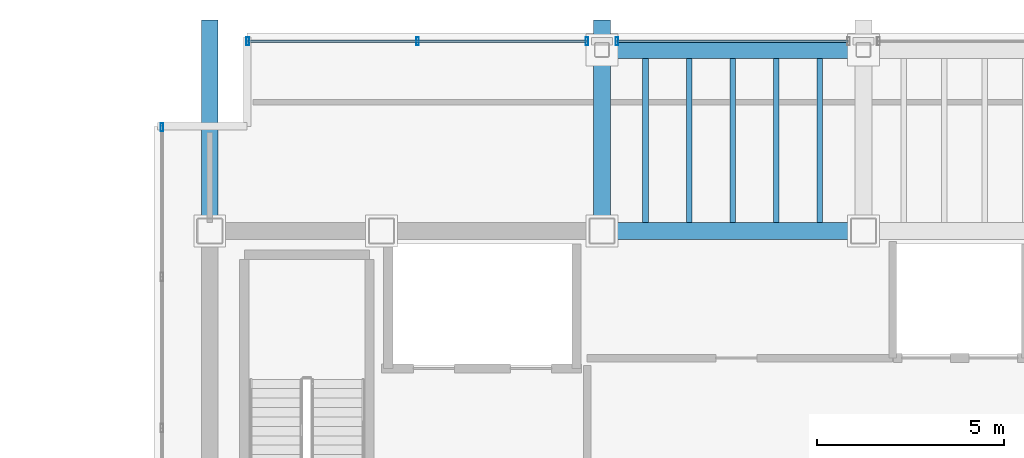
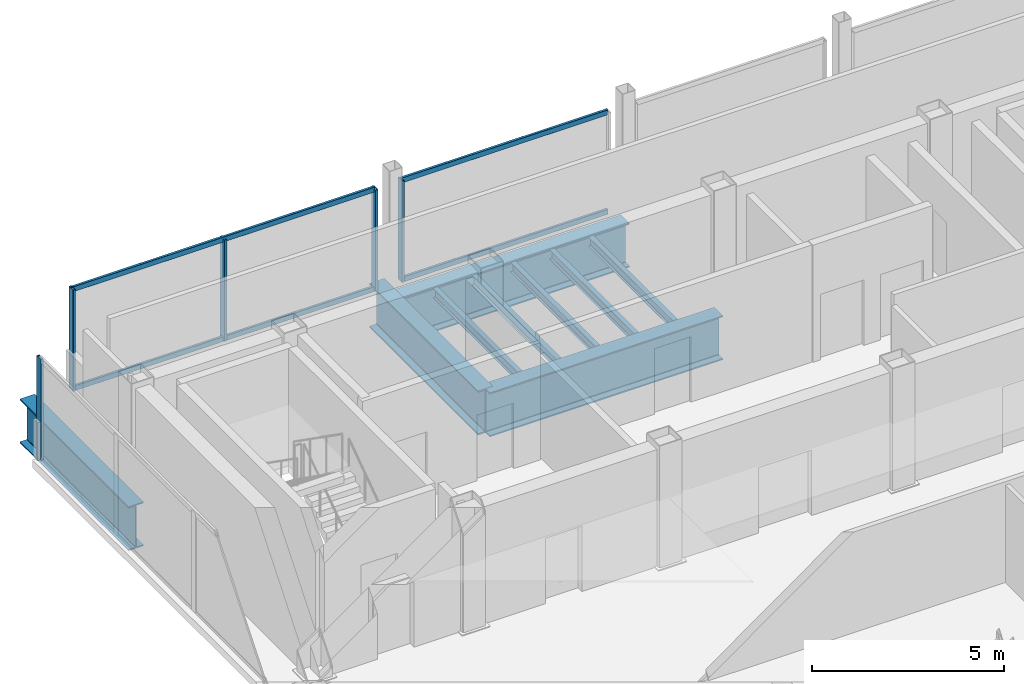
# One storey, part 10 of 17: 9 beams, 9 members, 3 elements without a shape of their own.
"""IFC4 building model written with IfcOpenShell, lengths in metres."""

from ifc_helpers import new_model, si_unit, direction, frame, origin, origin_2d, place, context, subcontext, project, spatial, hollow_rectangle, i_section, extrude, material, material_profile, profile_set, type_object, element, aggregate, save


model = new_model("IFC4")

# Units and contexts
model_context = context("Model", 3, precision=1e-05, world=origin(), true_north=direction((0.0, 1.0)))
body_context = subcontext(model_context, "Body", "Model", "MODEL_VIEW")
ifc_project = project(units=[si_unit("LENGTHUNIT", "METRE"), si_unit("AREAUNIT", "SQUARE_METRE"), si_unit("VOLUMEUNIT", "CUBIC_METRE"), si_unit("PLANEANGLEUNIT", "RADIAN"), si_unit("MASSUNIT", "GRAM", prefix="KILO")], contexts=[model_context])

# Site, building, storey
site_placement = place(None, origin())
site = spatial("IfcSite", under=ifc_project, at=site_placement, CompositionType="ELEMENT")
building_placement = place(site_placement, origin())
building = spatial("IfcBuilding", under=site, at=building_placement, Name="Noeulbin Bourse Tower", CompositionType="ELEMENT")
storey_placement = place(building_placement, frame((0.0, 0.0, 281.300048828125)))
storey = spatial("IfcBuildingStorey", under=building, at=storey_placement, Name="L70", CompositionType="ELEMENT", Elevation=281.300048828125)

# Beams
ifc_material_1 = material(Name="Steel S355", Category="steel")
ifc_material_profile_1 = material_profile(ifc_material_1, i_section(OverallWidth=0.14990234375, OverallDepth=0.300048828125, WebThickness=0.006591796875, FlangeThickness=0.009033203125, FilletRadius=0.012939453125, at=origin_2d()), Name="H-300x150x6.5x9", Category="LoadBearing")
ifc_profile_set_1 = profile_set([ifc_material_profile_1], Name="Steel S355")
beam_type_1 = type_object("IfcBeamType", Name="BM-JST-300", PredefinedType="JOIST", material=ifc_profile_set_1)
for number, where, z_axis, x_axis, name in (
    (1, (25.166748046875, 38.52490234375, -0.39013671875), (0.0, 1.0, 0.0), (-1.0, 0.0, 0.0), "Tower Composite Joist L70-02"),
    (2, (26.333251953125, 38.52490234375, -0.39013671875), (0.0, 1.0, 0.0), (-1.0, 0.0, 0.0), "Tower Composite Joist L70-04"),
    (3, (27.5, 38.52490234375, -0.39013671875), (0.0, 1.0, 0.0), (-1.0, 0.0, 0.0), "Tower Composite Joist L70-06"),
    (4, (28.666748046875, 38.52490234375, -0.39013671875), (0.0, 1.0, 0.0), (-1.0, 0.0, 0.0), "Tower Composite Joist L70-08"),
    (5, (29.833251953125, 38.52490234375, -0.39013671875), (0.0, 1.0, 0.0), (-1.0, 0.0, 0.0), "Tower Composite Joist L70-10"),
):
    element("IfcBeam", number, at=place(storey_placement, frame(where, z_axis=z_axis, x_axis=x_axis)), inside=storey, type_object=beam_type_1, Name=name, PredefinedType="JOIST", context=body_context, shape_type="SweptSolid", body=[
        extrude(i_section(OverallWidth=0.14990234375, OverallDepth=0.300048828125, WebThickness=0.006591796875, FlangeThickness=0.009033203125, FilletRadius=0.012939453125, at=origin_2d()), origin(), (0.0, 0.0, 1.0), 4.400146484375),
    ])
ifc_material_2 = material(Name="Steel S460", Category="steel")
ifc_material_profile_2 = material_profile(ifc_material_2, i_section(OverallWidth=0.449951171875, OverallDepth=1.39990234375, WebThickness=0.02392578125, FlangeThickness=0.0400390625, FilletRadius=0.02392578125, at=origin_2d()), Name="PG-1400x450x24x40", Category="LoadBearing")
ifc_profile_set_2 = profile_set([ifc_material_profile_2], Name="Steel S460")
beam_type_2 = type_object("IfcBeamType", Name="BM-TRF-1400", PredefinedType="USERDEFINED", material=ifc_profile_set_2)
beam_1_placement = place(storey_placement, frame((24.0, 38.300048828125, -0.93994140625), z_axis=(1.0, 0.0, 0.0), x_axis=(0.0, 1.0, 0.0)))
element("IfcBeam", 6, at=beam_1_placement, inside=storey, type_object=beam_type_2, Name="Tower Primary Girder EW L70-3.1", ObjectType="GIRDER", PredefinedType="USERDEFINED", context=body_context, shape_type="SweptSolid", body=[
    extrude(i_section(OverallWidth=0.449951171875, OverallDepth=1.39990234375, WebThickness=0.02392578125, FlangeThickness=0.0400390625, FilletRadius=0.02392578125, at=origin_2d()), origin(), (0.0, 0.0, 1.0), 7.0),
])
for number, where, z_axis, x_axis, name in (
    (7, (13.5, 38.300048828125, -0.93994140625), (0.0, 1.0, 0.0), (-1.0, 0.0, 0.0), "Tower Primary Girder NS L70-1.3"),
    (8, (24.0, 38.300048828125, -0.93994140625), (0.0, 1.0, 0.0), (-1.0, 0.0, 0.0), "Tower Primary Girder NS L70-2.3"),
):
    element("IfcBeam", number, at=place(storey_placement, frame(where, z_axis=z_axis, x_axis=x_axis)), inside=storey, type_object=beam_type_2, Name=name, ObjectType="GIRDER", PredefinedType="USERDEFINED", context=body_context, shape_type="SweptSolid", body=[
        extrude(i_section(OverallWidth=0.449951171875, OverallDepth=1.39990234375, WebThickness=0.02392578125, FlangeThickness=0.0400390625, FilletRadius=0.02392578125, at=origin_2d()), origin(), (0.0, 0.0, 1.0), 5.64990234375),
    ])
beam_2_placement = place(storey_placement, frame((24.0, 43.14990234375, -0.93994140625), z_axis=(1.0, 0.0, 0.0), x_axis=(0.0, 1.0, 0.0)))
element("IfcBeam", 9, at=beam_2_placement, inside=storey, type_object=beam_type_2, Name="North Spandrel L70-1", ObjectType="GIRDER", PredefinedType="USERDEFINED", context=body_context, shape_type="SweptSolid", body=[
    extrude(i_section(OverallWidth=0.449951171875, OverallDepth=1.39990234375, WebThickness=0.02392578125, FlangeThickness=0.0400390625, FilletRadius=0.02392578125, at=origin_2d()), origin(), (0.0, 0.0, 1.0), 7.0),
])

# Curtain wall, members
ifc_material_3 = material(Name="High-Selectivity Low-Iron Glazing", Category="glass")
curtain_wall_type = type_object("IfcCurtainWallType", Name="CW-SYS-4", PredefinedType="NOTDEFINED", material=ifc_material_3)
curtain_wall_1_placement = place(storey_placement, origin())
curtain_wall_1 = element("IfcCurtainWall", 10, at=curtain_wall_1_placement, inside=storey, type_object=curtain_wall_type, Name="Unitised Curtain Wall CW-L70-N-S1", PredefinedType="NOTDEFINED")
ifc_material_4 = material(Name="Anodised Aluminium 6063-T6", Category="aluminium")
ifc_material_profile_3 = material_profile(ifc_material_4, hollow_rectangle(XDim=0.074951171875, YDim=0.219970703125, WallThickness=0.0048828125, InnerFilletRadius=0.00244140625, OuterFilletRadius=0.0048828125, at=origin_2d()), Name="ALU-MULL-75x220x5", Category="LoadBearing")
ifc_profile_set_3 = profile_set([ifc_material_profile_3], Name="Anodised Aluminium 6063-T6")
member_type_1 = type_object("IfcMemberType", Name="CW-SYS-4-MUL", PredefinedType="MULLION", material=ifc_profile_set_3)
member_1_placement = place(storey_placement, frame((14.52001953125, 43.3798828125, -0.02001953125), z_axis=(0.0, 0.0, 1.0), x_axis=(1.0, 0.0, 0.0)))
member_1 = element("IfcMember", 11, at=member_1_placement, type_object=member_type_1, Name="Curtain Wall Mullion CW-L70-N-S1-M00", PredefinedType="MULLION", context=body_context, shape_type="SweptSolid", body=[
    extrude(hollow_rectangle(XDim=0.074951171875, YDim=0.219970703125, WallThickness=0.0048828125, InnerFilletRadius=0.00244140625, OuterFilletRadius=0.0048828125, at=origin_2d()), origin(), (0.0, 0.0, 1.0), 3.219970703125),
])
member_2_placement = place(storey_placement, frame((19.06005859375, 43.3798828125, -0.02001953125), z_axis=(0.0, 0.0, 1.0), x_axis=(1.0, 0.0, 0.0)))
member_2 = element("IfcMember", 12, at=member_2_placement, type_object=member_type_1, Name="Curtain Wall Mullion CW-L70-N-S1-M01", PredefinedType="MULLION", context=body_context, shape_type="SweptSolid", body=[
    extrude(hollow_rectangle(XDim=0.074951171875, YDim=0.219970703125, WallThickness=0.0048828125, InnerFilletRadius=0.00244140625, OuterFilletRadius=0.0048828125, at=origin_2d()), origin(), (0.0, 0.0, 1.0), 3.219970703125),
])
member_3_placement = place(storey_placement, frame((23.60009765625, 43.3798828125, -0.02001953125), z_axis=(0.0, 0.0, 1.0), x_axis=(1.0, 0.0, 0.0)))
member_3 = element("IfcMember", 13, at=member_3_placement, type_object=member_type_1, Name="Curtain Wall Mullion CW-L70-N-S1-M02", PredefinedType="MULLION", context=body_context, shape_type="SweptSolid", body=[
    extrude(hollow_rectangle(XDim=0.074951171875, YDim=0.219970703125, WallThickness=0.0048828125, InnerFilletRadius=0.00244140625, OuterFilletRadius=0.0048828125, at=origin_2d()), origin(), (0.0, 0.0, 1.0), 3.219970703125),
])

# Curtain wall, member
curtain_wall_2_placement = place(storey_placement, origin())
curtain_wall_2 = element("IfcCurtainWall", 14, at=curtain_wall_2_placement, inside=storey, type_object=curtain_wall_type, Name="Unitised Curtain Wall CW-L70-N-S2", PredefinedType="NOTDEFINED")
member_4_placement = place(storey_placement, frame((24.39990234375, 43.3798828125, -0.02001953125), z_axis=(0.0, 0.0, 1.0), x_axis=(1.0, 0.0, 0.0)))
member_4 = element("IfcMember", 15, at=member_4_placement, type_object=member_type_1, Name="Curtain Wall Mullion CW-L70-N-S2-M00", PredefinedType="MULLION", context=body_context, shape_type="SweptSolid", body=[
    extrude(hollow_rectangle(XDim=0.074951171875, YDim=0.219970703125, WallThickness=0.0048828125, InnerFilletRadius=0.00244140625, OuterFilletRadius=0.0048828125, at=origin_2d()), origin(), (0.0, 0.0, 1.0), 3.219970703125),
])

curtain_wall_3_placement = place(storey_placement, origin())
curtain_wall_3 = element("IfcCurtainWall", 16, at=curtain_wall_3_placement, inside=storey, type_object=curtain_wall_type, Name="Unitised Curtain Wall CW-L70-W", PredefinedType="NOTDEFINED")
member_5_placement = place(storey_placement, frame((12.219970703125, 41.080078125, -0.02001953125), z_axis=(0.0, 0.0, 1.0), x_axis=(1.0, 0.0, 0.0)))
member_5 = element("IfcMember", 17, at=member_5_placement, type_object=member_type_1, Name="Curtain Wall Mullion CW-L70-W-M05", PredefinedType="MULLION", context=body_context, shape_type="SweptSolid", body=[
    extrude(hollow_rectangle(XDim=0.074951171875, YDim=0.219970703125, WallThickness=0.0048828125, InnerFilletRadius=0.00244140625, OuterFilletRadius=0.0048828125, at=origin_2d()), origin(), (0.0, 0.0, 1.0), 3.219970703125),
])
aggregate(curtain_wall_3, [member_5])

# Member
ifc_material_profile_4 = material_profile(ifc_material_4, hollow_rectangle(XDim=0.074951171875, YDim=0.159912109375, WallThickness=0.0048828125, InnerFilletRadius=0.00244140625, OuterFilletRadius=0.0048828125, at=origin_2d()), Name="ALU-TRAN-75x160x5", Category="LoadBearing")
ifc_profile_set_4 = profile_set([ifc_material_profile_4], Name="Anodised Aluminium 6063-T6")
member_type_2 = type_object("IfcMemberType", Name="CW-SYS-4-TRN", PredefinedType="USERDEFINED", material=ifc_profile_set_4)
member_6_placement = place(storey_placement, frame((14.530029296875, 43.3798828125, 0.010009765625), z_axis=(1.0, 0.0, 0.0), x_axis=(0.0, 1.0, 0.0)))
member_6 = element("IfcMember", 18, at=member_6_placement, type_object=member_type_2, Name="Curtain Wall Transom CW-L70-N-S1-T00", ObjectType="TRANSOM", PredefinedType="USERDEFINED", context=body_context, shape_type="SweptSolid", body=[
    extrude(hollow_rectangle(XDim=0.074951171875, YDim=0.159912109375, WallThickness=0.0048828125, InnerFilletRadius=0.00244140625, OuterFilletRadius=0.0048828125, at=origin_2d()), origin(), (0.0, 0.0, 1.0), 9.06005859375),
])

member_7_placement = place(storey_placement, frame((14.530029296875, 43.3798828125, 3.169921875), z_axis=(1.0, 0.0, 0.0), x_axis=(0.0, 1.0, 0.0)))
member_7 = element("IfcMember", 19, at=member_7_placement, type_object=member_type_2, Name="Curtain Wall Transom CW-L70-N-S1-T01", ObjectType="TRANSOM", PredefinedType="USERDEFINED", context=body_context, shape_type="SweptSolid", body=[
    extrude(hollow_rectangle(XDim=0.074951171875, YDim=0.159912109375, WallThickness=0.0048828125, InnerFilletRadius=0.00244140625, OuterFilletRadius=0.0048828125, at=origin_2d()), origin(), (0.0, 0.0, 1.0), 9.06005859375),
])

aggregate(curtain_wall_1, [member_1, member_2, member_3, member_6, member_7])

member_8_placement = place(storey_placement, frame((24.409912109375, 43.3798828125, 0.010009765625), z_axis=(1.0, 0.0, 0.0), x_axis=(0.0, 1.0, 0.0)))
member_8 = element("IfcMember", 20, at=member_8_placement, type_object=member_type_2, Name="Curtain Wall Transom CW-L70-N-S2-T00", ObjectType="TRANSOM", PredefinedType="USERDEFINED", context=body_context, shape_type="SweptSolid", body=[
    extrude(hollow_rectangle(XDim=0.074951171875, YDim=0.159912109375, WallThickness=0.0048828125, InnerFilletRadius=0.00244140625, OuterFilletRadius=0.0048828125, at=origin_2d()), origin(), (0.0, 0.0, 1.0), 6.18017578125),
])

member_9_placement = place(storey_placement, frame((24.409912109375, 43.3798828125, 3.169921875), z_axis=(1.0, 0.0, 0.0), x_axis=(0.0, 1.0, 0.0)))
member_9 = element("IfcMember", 21, at=member_9_placement, type_object=member_type_2, Name="Curtain Wall Transom CW-L70-N-S2-T01", ObjectType="TRANSOM", PredefinedType="USERDEFINED", context=body_context, shape_type="SweptSolid", body=[
    extrude(hollow_rectangle(XDim=0.074951171875, YDim=0.159912109375, WallThickness=0.0048828125, InnerFilletRadius=0.00244140625, OuterFilletRadius=0.0048828125, at=origin_2d()), origin(), (0.0, 0.0, 1.0), 6.18017578125),
])

aggregate(curtain_wall_2, [member_4, member_8, member_9])

save(model, "model.ifc")
